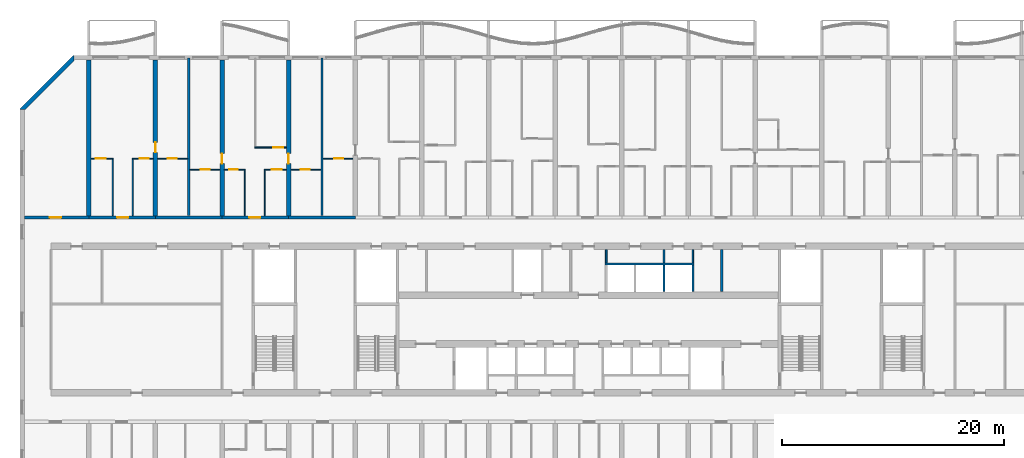
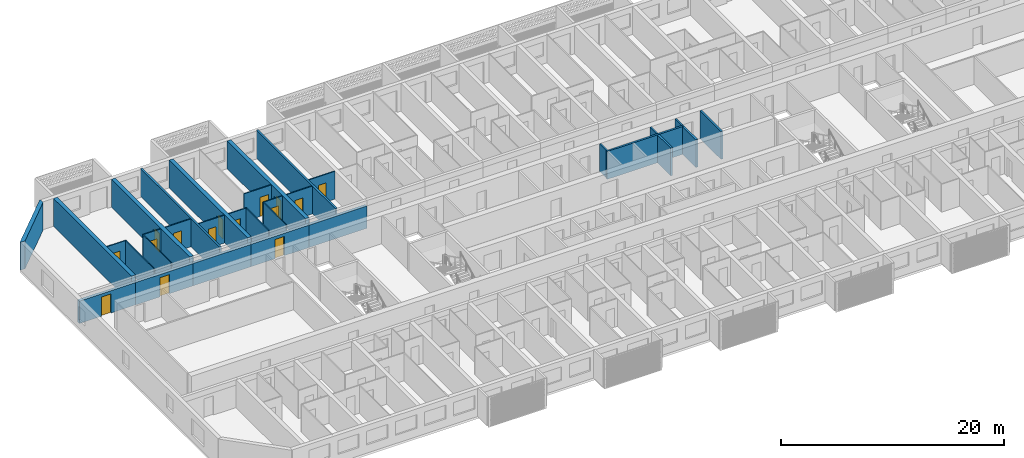
# One storey, part 12 of 44: 32 walls, 15 doors, 15 openings.
"""IFC4 building model written with IfcOpenShell, lengths in metres."""

from ifc_helpers import new_model, si_unit, direction, frame, frame_2d, origin, place, context, subcontext, project, spatial, polyline, rectangle, outline, extrude, material, layer, layer_set, type_object, element, fill, save


model = new_model("IFC4")

# Units and contexts
model_context = context("Model", 3, precision=1e-05, world=origin(), true_north=direction((0.0, 1.0)))
body_context = subcontext(model_context, "Body", "Model", "MODEL_VIEW")
ifc_project = project(units=[si_unit("LENGTHUNIT", "METRE"), si_unit("AREAUNIT", "SQUARE_METRE"), si_unit("VOLUMEUNIT", "CUBIC_METRE"), si_unit("PLANEANGLEUNIT", "RADIAN"), si_unit("MASSUNIT", "GRAM", prefix="KILO")], contexts=[model_context])

# Site, building, storey
site_placement = place(None, origin())
site = spatial("IfcSite", under=ifc_project, at=site_placement, CompositionType="ELEMENT")
building_placement = place(site_placement, origin())
building = spatial("IfcBuilding", under=site, at=building_placement, Name="Poui Terraces", CompositionType="ELEMENT")
storey_placement = place(building_placement, frame((0.0, 0.0, 30.0)))
storey = spatial("IfcBuildingStorey", under=building, at=storey_placement, Name="L07", CompositionType="ELEMENT", Elevation=30.0)

# Wall
ifc_material_1 = material(Name="Fire-rated plasterboard wall")
ifc_layer_1 = layer(ifc_material_1, 0.14990234375)
ifc_layer_set_1 = layer_set([ifc_layer_1], Name="Fire-rated plasterboard wall")
wall_type_1 = type_object("IfcWallType", Name="CORRIDOR WALL 150", PredefinedType="PARTITIONING", material=ifc_layer_set_1)
wall_1_placement = place(storey_placement, frame((52.60009765625, 26.300048828125, 0.0), z_axis=(0.0, 0.0, 1.0), x_axis=(0.0, 1.0, 0.0)))
element("IfcWall", 1, at=wall_1_placement, inside=storey, type_object=wall_type_1, Name="CORRIDOR WALL 150", PredefinedType="PARTITIONING", context=body_context, shape_type="SweptSolid", body=[
    extrude(rectangle(XDim=1.18994140625, YDim=0.14990234375, at=frame_2d((0.594970703125, 0.0))), origin(), (0.0, 0.0, 1.0), 3.050048828125),
])

# Wall, opening, door
ifc_material_2 = material(Name="Concrete 80 MPa", Category="concrete")
ifc_layer_2 = layer(ifc_material_2, 0.300048828125)
ifc_layer_set_2 = layer_set([ifc_layer_2], Name="Concrete 80 MPa")
wall_type_2 = type_object("IfcWallType", Name="CORRIDOR WALL 300 80MPa", PredefinedType="SHEAR", material=ifc_layer_set_2)
wall_2_placement = place(storey_placement, frame((0.199951171875, 30.39990234375, 0.0), z_axis=(0.0, 0.0, 1.0), x_axis=(1.0, 0.0, 0.0)))
wall_2 = element("IfcWall", 2, at=wall_2_placement, inside=storey, type_object=wall_type_2, Name="CORRIDOR WALL LINE E BAY 1", PredefinedType="SHEAR", context=body_context, shape_type="SweptSolid", body=[
    extrude(rectangle(XDim=5.800048828125, YDim=0.300048828125, at=frame_2d((2.89990234375, 0.0))), origin(), (0.0, 0.0, 1.0), 2.449951171875),
])
opening_1_placement = place(wall_2_placement, frame((2.300048828125, 0.0, 0.0)))
opening_1 = element("IfcOpeningElement", 3, at=opening_1_placement, cuts=wall_2, Name="Opening D100", PredefinedType="OPENING", context=body_context, shape_type="SweptSolid", body=[
    extrude(rectangle(XDim=1.0, YDim=2.10009765625, at=frame_2d((0.5, 1.050048828125))), frame((0.0, 0.16015625, 0.0), z_axis=(0.0, -1.0, 0.0), x_axis=(1.0, 0.0, 0.0)), (0.0, 0.0, 1.0), 0.320068359375),
])
ifc_material_3 = material(Name="Solid core timber door", Category="wood")
door_type_1 = type_object("IfcDoorType", Name="ACCESSIBLE INTERNAL DOOR 1000 X 2100", OperationType="NOTDEFINED", PredefinedType="DOOR", material=ifc_material_3)
door_1_placement = place(opening_1_placement, origin())
door_1 = element("IfcDoor", 4, at=door_1_placement, inside=storey, type_object=door_type_1, Name="ACCESSIBLE INTERNAL DOOR 031", OperationType="SINGLE_SWING_LEFT", OverallHeight=2.10009765625, OverallWidth=1.0, PredefinedType="DOOR", context=body_context, shape_type="SweptSolid", body=[
    extrude(rectangle(XDim=1.0, YDim=2.10009765625, at=frame_2d((0.5, 1.050048828125))), frame((0.0, 0.02490234375, 0.0), z_axis=(0.0, -1.0, 0.0), x_axis=(1.0, 0.0, 0.0)), (0.0, 0.0, 1.0), 0.050048828125),
])
fill(opening_1, door_1)

wall_3_placement = place(storey_placement, frame((6.0, 30.39990234375, 0.0), z_axis=(0.0, 0.0, 1.0), x_axis=(1.0, 0.0, 0.0)))
wall_3 = element("IfcWall", 5, at=wall_3_placement, inside=storey, type_object=wall_type_2, Name="CORRIDOR WALL LINE E BAY 2", PredefinedType="SHEAR", context=body_context, shape_type="SweptSolid", body=[
    extrude(rectangle(XDim=6.0, YDim=0.300048828125, at=frame_2d((3.0, 0.0))), origin(), (0.0, 0.0, 1.0), 2.449951171875),
])
opening_2_placement = place(wall_3_placement, frame((2.550048828125, 0.0, 0.0)))
opening_2 = element("IfcOpeningElement", 6, at=opening_2_placement, cuts=wall_3, Name="Opening FD30S", PredefinedType="OPENING", context=body_context, shape_type="SweptSolid", body=[
    extrude(rectangle(XDim=1.0, YDim=2.10009765625, at=frame_2d((0.5, 1.050048828125))), frame((0.0, 0.16015625, 0.0), z_axis=(0.0, -1.0, 0.0), x_axis=(1.0, 0.0, 0.0)), (0.0, 0.0, 1.0), 0.320068359375),
])
ifc_material_4 = material(Name="Steel fire door", Category="steel")
door_type_2 = type_object("IfcDoorType", Name="FLAT ENTRANCE DOOR 1000 X 2100", OperationType="NOTDEFINED", PredefinedType="DOOR", material=ifc_material_4)
door_2_placement = place(opening_2_placement, origin())
door_2 = element("IfcDoor", 7, at=door_2_placement, inside=storey, type_object=door_type_2, Name="FLAT ENTRANCE DOOR 034", OperationType="SINGLE_SWING_RIGHT", OverallHeight=2.10009765625, OverallWidth=1.0, PredefinedType="DOOR", context=body_context, shape_type="SweptSolid", body=[
    extrude(rectangle(XDim=1.0, YDim=2.10009765625, at=frame_2d((0.5, 1.050048828125))), frame((0.0, 0.02490234375, 0.0), z_axis=(0.0, -1.0, 0.0), x_axis=(1.0, 0.0, 0.0)), (0.0, 0.0, 1.0), 0.050048828125),
])
fill(opening_2, door_2)

# Wall
wall_4_placement = place(storey_placement, frame((12.0, 30.39990234375, 0.0), z_axis=(0.0, 0.0, 1.0), x_axis=(1.0, 0.0, 0.0)))
element("IfcWall", 8, at=wall_4_placement, inside=storey, type_object=wall_type_2, Name="CORRIDOR WALL LINE E BAY 3", PredefinedType="SHEAR", context=body_context, shape_type="SweptSolid", body=[
    extrude(rectangle(XDim=6.0, YDim=0.300048828125, at=frame_2d((3.0, 0.0))), origin(), (0.0, 0.0, 1.0), 2.449951171875),
])

# Wall, opening, door
wall_5_placement = place(storey_placement, frame((18.0, 30.39990234375, 0.0), z_axis=(0.0, 0.0, 1.0), x_axis=(1.0, 0.0, 0.0)))
wall_5 = element("IfcWall", 9, at=wall_5_placement, inside=storey, type_object=wall_type_2, Name="CORRIDOR WALL LINE E BAY 4", PredefinedType="SHEAR", context=body_context, shape_type="SweptSolid", body=[
    extrude(rectangle(XDim=6.0, YDim=0.300048828125, at=frame_2d((3.0, 0.0))), origin(), (0.0, 0.0, 1.0), 2.449951171875),
])
opening_3_placement = place(wall_5_placement, frame((2.449951171875, 0.0, 0.0)))
opening_3 = element("IfcOpeningElement", 10, at=opening_3_placement, cuts=wall_5, Name="Opening FD30S", PredefinedType="OPENING", context=body_context, shape_type="SweptSolid", body=[
    extrude(rectangle(XDim=1.0, YDim=2.10009765625, at=frame_2d((0.5, 1.050048828125))), frame((0.0, 0.16015625, 0.0), z_axis=(0.0, -1.0, 0.0), x_axis=(1.0, 0.0, 0.0)), (0.0, 0.0, 1.0), 0.320068359375),
])
door_3_placement = place(opening_3_placement, origin())
door_3 = element("IfcDoor", 11, at=door_3_placement, inside=storey, type_object=door_type_2, Name="FLAT ENTRANCE DOOR 041", OperationType="SINGLE_SWING_LEFT", OverallHeight=2.10009765625, OverallWidth=1.0, PredefinedType="DOOR", context=body_context, shape_type="SweptSolid", body=[
    extrude(rectangle(XDim=1.0, YDim=2.10009765625, at=frame_2d((0.5, 1.050048828125))), frame((0.0, 0.02490234375, 0.0), z_axis=(0.0, -1.0, 0.0), x_axis=(1.0, 0.0, 0.0)), (0.0, 0.0, 1.0), 0.050048828125),
])
fill(opening_3, door_3)

# Walls
wall_6_placement = place(storey_placement, frame((24.0, 30.39990234375, 0.0), z_axis=(0.0, 0.0, 1.0), x_axis=(1.0, 0.0, 0.0)))
element("IfcWall", 12, at=wall_6_placement, inside=storey, type_object=wall_type_2, Name="CORRIDOR WALL LINE E BAY 5", PredefinedType="SHEAR", context=body_context, shape_type="SweptSolid", body=[
    extrude(rectangle(XDim=6.0, YDim=0.300048828125, at=frame_2d((3.0, 0.0))), origin(), (0.0, 0.0, 1.0), 2.449951171875),
])
ifc_layer_3 = layer(ifc_material_2, 0.39990234375)
ifc_layer_set_3 = layer_set([ifc_layer_3], Name="Concrete 80 MPa")
wall_type_3 = type_object("IfcWallType", Name="CROSS WALL 400 80MPa", PredefinedType="SHEAR", material=ifc_layer_set_3)
wall_7_placement = place(storey_placement, frame((6.0, 30.550048828125, 0.0), z_axis=(0.0, 0.0, 1.0), x_axis=(0.0, 1.0, 0.0)))
element("IfcWall", 13, at=wall_7_placement, inside=storey, type_object=wall_type_3, Name="CROSS WALL LINE 2 NORTH", PredefinedType="SHEAR", context=body_context, shape_type="SweptSolid", body=[
    extrude(rectangle(XDim=14.050048828125, YDim=0.39990234375, at=frame_2d((7.02490234375, 0.0))), origin(), (0.0, 0.0, 1.0), 3.050048828125),
])

# Wall, opening, door
wall_8_placement = place(storey_placement, frame((12.0, 30.550048828125, 0.0), z_axis=(0.0, 0.0, 1.0), x_axis=(0.0, 1.0, 0.0)))
wall_8 = element("IfcWall", 14, at=wall_8_placement, inside=storey, type_object=wall_type_3, Name="CROSS WALL LINE 3 NORTH", PredefinedType="SHEAR", context=body_context, shape_type="SweptSolid", body=[
    extrude(rectangle(XDim=14.050048828125, YDim=0.39990234375, at=frame_2d((7.02490234375, 0.0))), origin(), (0.0, 0.0, 1.0), 3.050048828125),
])
opening_4_placement = place(wall_8_placement, frame((5.699951171875, 0.0, 0.0)))
opening_4 = element("IfcOpeningElement", 15, at=opening_4_placement, cuts=wall_8, Name="Opening D90", PredefinedType="OPENING", context=body_context, shape_type="SweptSolid", body=[
    extrude(rectangle(XDim=0.89990234375, YDim=2.10009765625, at=frame_2d((0.449951171875, 1.050048828125))), frame((0.0, 0.2099609375, 0.0), z_axis=(0.0, -1.0, 0.0), x_axis=(1.0, 0.0, 0.0)), (0.0, 0.0, 1.0), 0.419921875),
])
door_type_3 = type_object("IfcDoorType", Name="INTERNAL DOOR 900 X 2100", OperationType="NOTDEFINED", PredefinedType="DOOR", material=ifc_material_3)
door_4_placement = place(opening_4_placement, frame((0.89990234375, 0.0, 0.0), z_axis=(0.0, 0.0, 1.0), x_axis=(-1.0, 0.0, 0.0)))
door_4 = element("IfcDoor", 16, at=door_4_placement, inside=storey, type_object=door_type_3, Name="INTERNAL DOOR 036", OperationType="SINGLE_SWING_RIGHT", OverallHeight=2.10009765625, OverallWidth=0.89990234375, PredefinedType="DOOR", context=body_context, shape_type="SweptSolid", body=[
    extrude(rectangle(XDim=0.89990234375, YDim=2.10009765625, at=frame_2d((0.449951171875, 1.050048828125))), frame((0.0, 0.02490234375, 0.0), z_axis=(0.0, -1.0, 0.0), x_axis=(1.0, 0.0, 0.0)), (0.0, 0.0, 1.0), 0.050048828125),
])
fill(opening_4, door_4)

wall_9_placement = place(storey_placement, frame((18.0, 30.550048828125, 0.0), z_axis=(0.0, 0.0, 1.0), x_axis=(0.0, 1.0, 0.0)))
wall_9 = element("IfcWall", 17, at=wall_9_placement, inside=storey, type_object=wall_type_3, Name="CROSS WALL LINE 4 NORTH", PredefinedType="SHEAR", context=body_context, shape_type="SweptSolid", body=[
    extrude(rectangle(XDim=14.050048828125, YDim=0.39990234375, at=frame_2d((7.02490234375, 0.0))), origin(), (0.0, 0.0, 1.0), 3.050048828125),
])
opening_5_placement = place(wall_9_placement, frame((4.699951171875, 0.0, 0.0)))
opening_5 = element("IfcOpeningElement", 18, at=opening_5_placement, cuts=wall_9, Name="Opening D90", PredefinedType="OPENING", context=body_context, shape_type="SweptSolid", body=[
    extrude(rectangle(XDim=0.89990234375, YDim=2.10009765625, at=frame_2d((0.449951171875, 1.050048828125))), frame((0.0, 0.2099609375, 0.0), z_axis=(0.0, -1.0, 0.0), x_axis=(1.0, 0.0, 0.0)), (0.0, 0.0, 1.0), 0.419921875),
])
door_5_placement = place(opening_5_placement, origin())
door_5 = element("IfcDoor", 19, at=door_5_placement, inside=storey, type_object=door_type_3, Name="INTERNAL DOOR 039", OperationType="SINGLE_SWING_LEFT", OverallHeight=2.10009765625, OverallWidth=0.89990234375, PredefinedType="DOOR", context=body_context, shape_type="SweptSolid", body=[
    extrude(rectangle(XDim=0.89990234375, YDim=2.10009765625, at=frame_2d((0.449951171875, 1.050048828125))), frame((0.0, 0.02490234375, 0.0), z_axis=(0.0, -1.0, 0.0), x_axis=(1.0, 0.0, 0.0)), (0.0, 0.0, 1.0), 0.050048828125),
])
fill(opening_5, door_5)

wall_10_placement = place(storey_placement, frame((24.0, 30.550048828125, 0.0), z_axis=(0.0, 0.0, 1.0), x_axis=(0.0, 1.0, 0.0)))
wall_10 = element("IfcWall", 20, at=wall_10_placement, inside=storey, type_object=wall_type_3, Name="CROSS WALL LINE 5 NORTH", PredefinedType="SHEAR", context=body_context, shape_type="SweptSolid", body=[
    extrude(rectangle(XDim=14.050048828125, YDim=0.39990234375, at=frame_2d((7.02490234375, 0.0))), origin(), (0.0, 0.0, 1.0), 3.050048828125),
])
opening_6_placement = place(wall_10_placement, frame((4.699951171875, 0.0, 0.0)))
opening_6 = element("IfcOpeningElement", 21, at=opening_6_placement, cuts=wall_10, Name="Opening D90", PredefinedType="OPENING", context=body_context, shape_type="SweptSolid", body=[
    extrude(rectangle(XDim=0.89990234375, YDim=2.10009765625, at=frame_2d((0.449951171875, 1.050048828125))), frame((0.0, 0.2099609375, 0.0), z_axis=(0.0, -1.0, 0.0), x_axis=(1.0, 0.0, 0.0)), (0.0, 0.0, 1.0), 0.419921875),
])
door_6_placement = place(opening_6_placement, frame((0.89990234375, 0.0, 0.0), z_axis=(0.0, 0.0, 1.0), x_axis=(-1.0, 0.0, 0.0)))
door_6 = element("IfcDoor", 22, at=door_6_placement, inside=storey, type_object=door_type_3, Name="INTERNAL DOOR 044", OperationType="SINGLE_SWING_RIGHT", OverallHeight=2.10009765625, OverallWidth=0.89990234375, PredefinedType="DOOR", context=body_context, shape_type="SweptSolid", body=[
    extrude(rectangle(XDim=0.89990234375, YDim=2.10009765625, at=frame_2d((0.449951171875, 1.050048828125))), frame((0.0, 0.02490234375, 0.0), z_axis=(0.0, -1.0, 0.0), x_axis=(1.0, 0.0, 0.0)), (0.0, 0.0, 1.0), 0.050048828125),
])
fill(opening_6, door_6)

ifc_material_5 = material(Name="Plasterboard partition")
ifc_layer_4 = layer(ifc_material_5, 0.10009765625)
ifc_layer_set_4 = layer_set([ifc_layer_4], Name="Plasterboard partition")
wall_type_4 = type_object("IfcWallType", Name="FLAT PARTITION 100", PredefinedType="PARTITIONING", material=ifc_layer_set_4)
wall_11_placement = place(storey_placement, frame((15.10009765625, 34.699951171875, 0.0), z_axis=(0.0, 0.0, 1.0), x_axis=(1.0, 0.0, 0.0)))
wall_11 = element("IfcWall", 23, at=wall_11_placement, inside=storey, type_object=wall_type_4, Name="FLAT PARTITION 100", PredefinedType="PARTITIONING", context=body_context, shape_type="SweptSolid", body=[
    extrude(rectangle(XDim=2.68994140625, YDim=0.10009765625, at=frame_2d((1.344970703125, 0.0))), origin(), (0.0, 0.0, 1.0), 3.050048828125),
])
opening_7_placement = place(wall_11_placement, frame((1.0, 0.0, 0.0)))
opening_7 = element("IfcOpeningElement", 24, at=opening_7_placement, cuts=wall_11, Name="Opening D80", PredefinedType="OPENING", context=body_context, shape_type="SweptSolid", body=[
    extrude(rectangle(XDim=0.800048828125, YDim=2.10009765625, at=frame_2d((0.39990234375, 1.050048828125))), frame((0.0, 0.06005859375, 0.0), z_axis=(0.0, -1.0, 0.0), x_axis=(1.0, 0.0, 0.0)), (0.0, 0.0, 1.0), 0.1201171875),
])
door_type_4 = type_object("IfcDoorType", Name="BATHROOM, LAUNDRY AND STORE DOOR 800 X 2100", OperationType="NOTDEFINED", PredefinedType="DOOR", material=ifc_material_3)
door_7_placement = place(opening_7_placement, frame((0.800048828125, 0.0, 0.0), z_axis=(0.0, 0.0, 1.0), x_axis=(-1.0, 0.0, 0.0)))
door_7 = element("IfcDoor", 25, at=door_7_placement, inside=storey, type_object=door_type_4, Name="BATHROOM, LAUNDRY AND STORE DOOR 037", OperationType="SINGLE_SWING_RIGHT", OverallHeight=2.10009765625, OverallWidth=0.800048828125, PredefinedType="DOOR", context=body_context, shape_type="SweptSolid", body=[
    extrude(rectangle(XDim=0.800048828125, YDim=2.10009765625, at=frame_2d((0.39990234375, 1.050048828125))), frame((0.0, 0.02490234375, 0.0), z_axis=(0.0, -1.0, 0.0), x_axis=(1.0, 0.0, 0.0)), (0.0, 0.0, 1.0), 0.050048828125),
])
fill(opening_7, door_7)

wall_12_placement = place(storey_placement, frame((18.2099609375, 34.699951171875, 0.0), z_axis=(0.0, 0.0, 1.0), x_axis=(1.0, 0.0, 0.0)))
wall_12 = element("IfcWall", 26, at=wall_12_placement, inside=storey, type_object=wall_type_4, Name="FLAT PARTITION 100", PredefinedType="PARTITIONING", context=body_context, shape_type="SweptSolid", body=[
    extrude(rectangle(XDim=1.89013671875, YDim=0.10009765625, at=frame_2d((0.945068359375, 0.0))), origin(), (0.0, 0.0, 1.0), 3.050048828125),
])
opening_8_placement = place(wall_12_placement, frame((0.4150390625, 0.0, 0.0)))
opening_8 = element("IfcOpeningElement", 27, at=opening_8_placement, cuts=wall_12, Name="Opening D80", PredefinedType="OPENING", context=body_context, shape_type="SweptSolid", body=[
    extrude(rectangle(XDim=0.800048828125, YDim=2.10009765625, at=frame_2d((0.39990234375, 1.050048828125))), frame((0.0, 0.06005859375, 0.0), z_axis=(0.0, -1.0, 0.0), x_axis=(1.0, 0.0, 0.0)), (0.0, 0.0, 1.0), 0.1201171875),
])
door_8_placement = place(opening_8_placement, frame((0.800048828125, 0.0, 0.0), z_axis=(0.0, 0.0, 1.0), x_axis=(-1.0, 0.0, 0.0)))
door_8 = element("IfcDoor", 28, at=door_8_placement, inside=storey, type_object=door_type_4, Name="BATHROOM, LAUNDRY AND STORE DOOR 040", OperationType="SINGLE_SWING_RIGHT", OverallHeight=2.10009765625, OverallWidth=0.800048828125, PredefinedType="DOOR", context=body_context, shape_type="SweptSolid", body=[
    extrude(rectangle(XDim=0.800048828125, YDim=2.10009765625, at=frame_2d((0.39990234375, 1.050048828125))), frame((0.0, 0.02490234375, 0.0), z_axis=(0.0, -1.0, 0.0), x_axis=(1.0, 0.0, 0.0)), (0.0, 0.0, 1.0), 0.050048828125),
])
fill(opening_8, door_8)

wall_13_placement = place(storey_placement, frame((21.800048828125, 34.699951171875, 0.0), z_axis=(0.0, 0.0, 1.0), x_axis=(1.0, 0.0, 0.0)))
wall_13 = element("IfcWall", 29, at=wall_13_placement, inside=storey, type_object=wall_type_4, Name="FLAT PARTITION 100", PredefinedType="PARTITIONING", context=body_context, shape_type="SweptSolid", body=[
    extrude(rectangle(XDim=1.989990234375, YDim=0.10009765625, at=frame_2d((0.9951171875, 0.0))), origin(), (0.0, 0.0, 1.0), 3.050048828125),
])
opening_9_placement = place(wall_13_placement, frame((0.675048828125, 0.0, 0.0)))
opening_9 = element("IfcOpeningElement", 30, at=opening_9_placement, cuts=wall_13, Name="Opening D90", PredefinedType="OPENING", context=body_context, shape_type="SweptSolid", body=[
    extrude(rectangle(XDim=0.89990234375, YDim=2.10009765625, at=frame_2d((0.449951171875, 1.050048828125))), frame((0.0, 0.06005859375, 0.0), z_axis=(0.0, -1.0, 0.0), x_axis=(1.0, 0.0, 0.0)), (0.0, 0.0, 1.0), 0.1201171875),
])
door_9_placement = place(opening_9_placement, frame((0.89990234375, 0.0, 0.0), z_axis=(0.0, 0.0, 1.0), x_axis=(-1.0, 0.0, 0.0)))
door_9 = element("IfcDoor", 31, at=door_9_placement, inside=storey, type_object=door_type_3, Name="INTERNAL DOOR 042", OperationType="SINGLE_SWING_LEFT", OverallHeight=2.10009765625, OverallWidth=0.89990234375, PredefinedType="DOOR", context=body_context, shape_type="SweptSolid", body=[
    extrude(rectangle(XDim=0.89990234375, YDim=2.10009765625, at=frame_2d((0.449951171875, 1.050048828125))), frame((0.0, 0.02490234375, 0.0), z_axis=(0.0, -1.0, 0.0), x_axis=(1.0, 0.0, 0.0)), (0.0, 0.0, 1.0), 0.050048828125),
])
fill(opening_9, door_9)

wall_14_placement = place(storey_placement, frame((24.2099609375, 34.699951171875, 0.0), z_axis=(0.0, 0.0, 1.0), x_axis=(1.0, 0.0, 0.0)))
wall_14 = element("IfcWall", 32, at=wall_14_placement, inside=storey, type_object=wall_type_4, Name="FLAT PARTITION 100", PredefinedType="PARTITIONING", context=body_context, shape_type="SweptSolid", body=[
    extrude(rectangle(XDim=2.68994140625, YDim=0.10009765625, at=frame_2d((1.344970703125, 0.0))), origin(), (0.0, 0.0, 1.0), 3.050048828125),
])
opening_10_placement = place(wall_14_placement, frame((0.889892578125, 0.0, 0.0)))
opening_10 = element("IfcOpeningElement", 33, at=opening_10_placement, cuts=wall_14, Name="Opening D80", PredefinedType="OPENING", context=body_context, shape_type="SweptSolid", body=[
    extrude(rectangle(XDim=0.800048828125, YDim=2.10009765625, at=frame_2d((0.39990234375, 1.050048828125))), frame((0.0, 0.06005859375, 0.0), z_axis=(0.0, -1.0, 0.0), x_axis=(1.0, 0.0, 0.0)), (0.0, 0.0, 1.0), 0.1201171875),
])
door_10_placement = place(opening_10_placement, frame((0.800048828125, 0.0, 0.0), z_axis=(0.0, 0.0, 1.0), x_axis=(-1.0, 0.0, 0.0)))
door_10 = element("IfcDoor", 34, at=door_10_placement, inside=storey, type_object=door_type_4, Name="BATHROOM, LAUNDRY AND STORE DOOR 038", OperationType="SINGLE_SWING_RIGHT", OverallHeight=2.10009765625, OverallWidth=0.800048828125, PredefinedType="DOOR", context=body_context, shape_type="SweptSolid", body=[
    extrude(rectangle(XDim=0.800048828125, YDim=2.10009765625, at=frame_2d((0.39990234375, 1.050048828125))), frame((0.0, 0.02490234375, 0.0), z_axis=(0.0, -1.0, 0.0), x_axis=(1.0, 0.0, 0.0)), (0.0, 0.0, 1.0), 0.050048828125),
])
fill(opening_10, door_10)

wall_15_placement = place(storey_placement, frame((6.2099609375, 35.699951171875, 0.0), z_axis=(0.0, 0.0, 1.0), x_axis=(1.0, 0.0, 0.0)))
wall_15 = element("IfcWall", 35, at=wall_15_placement, inside=storey, type_object=wall_type_4, Name="FLAT PARTITION 100", PredefinedType="PARTITIONING", context=body_context, shape_type="SweptSolid", body=[
    extrude(rectangle(XDim=1.989990234375, YDim=0.10009765625, at=frame_2d((0.9951171875, 0.0))), origin(), (0.0, 0.0, 1.0), 3.050048828125),
])
opening_11_placement = place(wall_15_placement, frame((0.4150390625, 0.0, 0.0)))
opening_11 = element("IfcOpeningElement", 36, at=opening_11_placement, cuts=wall_15, Name="Opening D90", PredefinedType="OPENING", context=body_context, shape_type="SweptSolid", body=[
    extrude(rectangle(XDim=0.89990234375, YDim=2.10009765625, at=frame_2d((0.449951171875, 1.050048828125))), frame((0.0, 0.06005859375, 0.0), z_axis=(0.0, -1.0, 0.0), x_axis=(1.0, 0.0, 0.0)), (0.0, 0.0, 1.0), 0.1201171875),
])
door_11_placement = place(opening_11_placement, frame((0.89990234375, 0.0, 0.0), z_axis=(0.0, 0.0, 1.0), x_axis=(-1.0, 0.0, 0.0)))
door_11 = element("IfcDoor", 37, at=door_11_placement, inside=storey, type_object=door_type_3, Name="INTERNAL DOOR 033", OperationType="SINGLE_SWING_RIGHT", OverallHeight=2.10009765625, OverallWidth=0.89990234375, PredefinedType="DOOR", context=body_context, shape_type="SweptSolid", body=[
    extrude(rectangle(XDim=0.89990234375, YDim=2.10009765625, at=frame_2d((0.449951171875, 1.050048828125))), frame((0.0, 0.02490234375, 0.0), z_axis=(0.0, -1.0, 0.0), x_axis=(1.0, 0.0, 0.0)), (0.0, 0.0, 1.0), 0.050048828125),
])
fill(opening_11, door_11)

wall_16_placement = place(storey_placement, frame((9.89990234375, 35.699951171875, 0.0), z_axis=(0.0, 0.0, 1.0), x_axis=(1.0, 0.0, 0.0)))
wall_16 = element("IfcWall", 38, at=wall_16_placement, inside=storey, type_object=wall_type_4, Name="FLAT PARTITION 100", PredefinedType="PARTITIONING", context=body_context, shape_type="SweptSolid", body=[
    extrude(rectangle(XDim=1.89013671875, YDim=0.10009765625, at=frame_2d((0.945068359375, 0.0))), origin(), (0.0, 0.0, 1.0), 3.050048828125),
])
opening_12_placement = place(wall_16_placement, frame((0.675048828125, 0.0, 0.0)))
opening_12 = element("IfcOpeningElement", 39, at=opening_12_placement, cuts=wall_16, Name="Opening D80", PredefinedType="OPENING", context=body_context, shape_type="SweptSolid", body=[
    extrude(rectangle(XDim=0.800048828125, YDim=2.10009765625, at=frame_2d((0.39990234375, 1.050048828125))), frame((0.0, 0.06005859375, 0.0), z_axis=(0.0, -1.0, 0.0), x_axis=(1.0, 0.0, 0.0)), (0.0, 0.0, 1.0), 0.1201171875),
])
door_12_placement = place(opening_12_placement, frame((0.800048828125, 0.0, 0.0), z_axis=(0.0, 0.0, 1.0), x_axis=(-1.0, 0.0, 0.0)))
door_12 = element("IfcDoor", 40, at=door_12_placement, inside=storey, type_object=door_type_4, Name="BATHROOM, LAUNDRY AND STORE DOOR 035", OperationType="SINGLE_SWING_LEFT", OverallHeight=2.10009765625, OverallWidth=0.800048828125, PredefinedType="DOOR", context=body_context, shape_type="SweptSolid", body=[
    extrude(rectangle(XDim=0.800048828125, YDim=2.10009765625, at=frame_2d((0.39990234375, 1.050048828125))), frame((0.0, 0.02490234375, 0.0), z_axis=(0.0, -1.0, 0.0), x_axis=(1.0, 0.0, 0.0)), (0.0, 0.0, 1.0), 0.050048828125),
])
fill(opening_12, door_12)

wall_17_placement = place(storey_placement, frame((12.2099609375, 35.699951171875, 0.0), z_axis=(0.0, 0.0, 1.0), x_axis=(1.0, 0.0, 0.0)))
wall_17 = element("IfcWall", 41, at=wall_17_placement, inside=storey, type_object=wall_type_4, Name="FLAT PARTITION 100", PredefinedType="PARTITIONING", context=body_context, shape_type="SweptSolid", body=[
    extrude(rectangle(XDim=2.68994140625, YDim=0.10009765625, at=frame_2d((1.344970703125, 0.0))), origin(), (0.0, 0.0, 1.0), 3.050048828125),
])
opening_13_placement = place(wall_17_placement, frame((0.889892578125, 0.0, 0.0)))
opening_13 = element("IfcOpeningElement", 42, at=opening_13_placement, cuts=wall_17, Name="Opening D80", PredefinedType="OPENING", context=body_context, shape_type="SweptSolid", body=[
    extrude(rectangle(XDim=0.800048828125, YDim=2.10009765625, at=frame_2d((0.39990234375, 1.050048828125))), frame((0.0, 0.06005859375, 0.0), z_axis=(0.0, -1.0, 0.0), x_axis=(1.0, 0.0, 0.0)), (0.0, 0.0, 1.0), 0.1201171875),
])
door_13_placement = place(opening_13_placement, frame((0.800048828125, 0.0, 0.0), z_axis=(0.0, 0.0, 1.0), x_axis=(-1.0, 0.0, 0.0)))
door_13 = element("IfcDoor", 43, at=door_13_placement, inside=storey, type_object=door_type_4, Name="BATHROOM, LAUNDRY AND STORE DOOR 032", OperationType="SINGLE_SWING_LEFT", OverallHeight=2.10009765625, OverallWidth=0.800048828125, PredefinedType="DOOR", context=body_context, shape_type="SweptSolid", body=[
    extrude(rectangle(XDim=0.800048828125, YDim=2.10009765625, at=frame_2d((0.39990234375, 1.050048828125))), frame((0.0, 0.02490234375, 0.0), z_axis=(0.0, -1.0, 0.0), x_axis=(1.0, 0.0, 0.0)), (0.0, 0.0, 1.0), 0.050048828125),
])
fill(opening_13, door_13)

wall_18_placement = place(storey_placement, frame((27.10009765625, 35.699951171875, 0.0), z_axis=(0.0, 0.0, 1.0), x_axis=(1.0, 0.0, 0.0)))
wall_18 = element("IfcWall", 44, at=wall_18_placement, inside=storey, type_object=wall_type_4, Name="FLAT PARTITION 100", PredefinedType="PARTITIONING", context=body_context, shape_type="SweptSolid", body=[
    extrude(rectangle(XDim=2.68994140625, YDim=0.10009765625, at=frame_2d((1.344970703125, 0.0))), origin(), (0.0, 0.0, 1.0), 3.050048828125),
])
opening_14_placement = place(wall_18_placement, frame((1.0, 0.0, 0.0)))
opening_14 = element("IfcOpeningElement", 45, at=opening_14_placement, cuts=wall_18, Name="Opening D80", PredefinedType="OPENING", context=body_context, shape_type="SweptSolid", body=[
    extrude(rectangle(XDim=0.800048828125, YDim=2.10009765625, at=frame_2d((0.39990234375, 1.050048828125))), frame((0.0, 0.06005859375, 0.0), z_axis=(0.0, -1.0, 0.0), x_axis=(1.0, 0.0, 0.0)), (0.0, 0.0, 1.0), 0.1201171875),
])
door_14_placement = place(opening_14_placement, frame((0.800048828125, 0.0, 0.0), z_axis=(0.0, 0.0, 1.0), x_axis=(-1.0, 0.0, 0.0)))
door_14 = element("IfcDoor", 46, at=door_14_placement, inside=storey, type_object=door_type_4, Name="BATHROOM, LAUNDRY AND STORE DOOR 045", OperationType="SINGLE_SWING_LEFT", OverallHeight=2.10009765625, OverallWidth=0.800048828125, PredefinedType="DOOR", context=body_context, shape_type="SweptSolid", body=[
    extrude(rectangle(XDim=0.800048828125, YDim=2.10009765625, at=frame_2d((0.39990234375, 1.050048828125))), frame((0.0, 0.02490234375, 0.0), z_axis=(0.0, -1.0, 0.0), x_axis=(1.0, 0.0, 0.0)), (0.0, 0.0, 1.0), 0.050048828125),
])
fill(opening_14, door_14)

wall_19_placement = place(storey_placement, frame((20.949951171875, 36.699951171875, 0.0), z_axis=(0.0, 0.0, 1.0), x_axis=(1.0, 0.0, 0.0)))
wall_19 = element("IfcWall", 47, at=wall_19_placement, inside=storey, type_object=wall_type_4, Name="FLAT PARTITION 100", PredefinedType="PARTITIONING", context=body_context, shape_type="SweptSolid", body=[
    extrude(rectangle(XDim=2.840087890625, YDim=0.10009765625, at=frame_2d((1.419921875, 0.0))), origin(), (0.0, 0.0, 1.0), 3.050048828125),
])
opening_15_placement = place(wall_19_placement, frame((1.64990234375, 0.0, 0.0)))
opening_15 = element("IfcOpeningElement", 48, at=opening_15_placement, cuts=wall_19, Name="Opening D90", PredefinedType="OPENING", context=body_context, shape_type="SweptSolid", body=[
    extrude(rectangle(XDim=0.89990234375, YDim=2.10009765625, at=frame_2d((0.449951171875, 1.050048828125))), frame((0.0, 0.06005859375, 0.0), z_axis=(0.0, -1.0, 0.0), x_axis=(1.0, 0.0, 0.0)), (0.0, 0.0, 1.0), 0.1201171875),
])
door_15_placement = place(opening_15_placement, frame((0.89990234375, 0.0, 0.0), z_axis=(0.0, 0.0, 1.0), x_axis=(-1.0, 0.0, 0.0)))
door_15 = element("IfcDoor", 49, at=door_15_placement, inside=storey, type_object=door_type_3, Name="INTERNAL DOOR 043", OperationType="SINGLE_SWING_RIGHT", OverallHeight=2.10009765625, OverallWidth=0.89990234375, PredefinedType="DOOR", context=body_context, shape_type="SweptSolid", body=[
    extrude(rectangle(XDim=0.89990234375, YDim=2.10009765625, at=frame_2d((0.449951171875, 1.050048828125))), frame((0.0, 0.02490234375, 0.0), z_axis=(0.0, -1.0, 0.0), x_axis=(1.0, 0.0, 0.0)), (0.0, 0.0, 1.0), 0.050048828125),
])
fill(opening_15, door_15)

# Walls
for number, where, z_axis, x_axis, name in (
    (50, (8.14990234375, 30.56005859375, 0.0), (0.0, 0.0, 1.0), (0.0, 1.0, 0.0), "FLAT PARTITION 100"),
    (51, (9.949951171875, 30.56005859375, 0.0), (0.0, 0.0, 1.0), (0.0, 1.0, 0.0), "FLAT PARTITION 100"),
):
    element("IfcWall", number, at=place(storey_placement, frame(where, z_axis=z_axis, x_axis=x_axis)), inside=storey, type_object=wall_type_4, Name=name, PredefinedType="PARTITIONING", context=body_context, shape_type="SweptSolid", body=[
        extrude(rectangle(XDim=5.08984375, YDim=0.10009765625, at=frame_2d((2.544921875, 0.0))), origin(), (0.0, 0.0, 1.0), 3.050048828125),
    ])
for number, where, z_axis, x_axis, name in (
    (52, (20.050048828125, 30.56005859375, 0.0), (0.0, 0.0, 1.0), (0.0, 1.0, 0.0), "FLAT PARTITION 100"),
    (53, (21.85009765625, 30.56005859375, 0.0), (0.0, 0.0, 1.0), (0.0, 1.0, 0.0), "FLAT PARTITION 100"),
):
    element("IfcWall", number, at=place(storey_placement, frame(where, z_axis=z_axis, x_axis=x_axis)), inside=storey, type_object=wall_type_4, Name=name, PredefinedType="PARTITIONING", context=body_context, shape_type="SweptSolid", body=[
        extrude(rectangle(XDim=4.08984375, YDim=0.10009765625, at=frame_2d((2.044921875, 0.0))), origin(), (0.0, 0.0, 1.0), 3.050048828125),
    ])
ifc_material_6 = material(Name="Fire-rated masonry wall", Category="masonry")
ifc_layer_5 = layer(ifc_material_6, 0.199951171875)
ifc_layer_set_5 = layer_set([ifc_layer_5], Name="Fire-rated masonry wall")
wall_type_5 = type_object("IfcWallType", Name="FLAT PARTY WALL 200", PredefinedType="PARTITIONING", material=ifc_layer_set_5)
for number, where, z_axis, x_axis, name in (
    (54, (15.0, 30.56005859375, 0.0), (0.0, 0.0, 1.0), (0.0, 1.0, 0.0), "FLAT PARTY WALL 200"),
    (55, (27.0, 30.56005859375, 0.0), (0.0, 0.0, 1.0), (0.0, 1.0, 0.0), "FLAT PARTY WALL 200"),
):
    element("IfcWall", number, at=place(storey_placement, frame(where, z_axis=z_axis, x_axis=x_axis)), inside=storey, type_object=wall_type_5, Name=name, PredefinedType="PARTITIONING", context=body_context, shape_type="SweptSolid", body=[
        extrude(rectangle(XDim=14.179931640625, YDim=0.199951171875, at=frame_2d((7.08984375, 0.0))), origin(), (0.0, 0.0, 1.0), 3.050048828125),
    ])
ifc_layer_6 = layer(ifc_material_5, 0.14990234375)
ifc_layer_set_6 = layer_set([ifc_layer_6], Name="Plasterboard partition")
wall_type_6 = type_object("IfcWallType", Name="PARTITION WALL 150", PredefinedType="PARTITIONING", material=ifc_layer_set_6)
for number, where, z_axis, x_axis, name in (
    (56, (57.800048828125, 26.300048828125, 0.0), (0.0, 0.0, 1.0), (0.0, 1.0, 0.0), "PARTITION WALL 150"),
    (57, (60.39990234375, 26.300048828125, 0.0), (0.0, 0.0, 1.0), (0.0, 1.0, 0.0), "PARTITION WALL 150"),
):
    element("IfcWall", number, at=place(storey_placement, frame(where, z_axis=z_axis, x_axis=x_axis)), inside=storey, type_object=wall_type_6, Name=name, PredefinedType="PARTITIONING", context=body_context, shape_type="SweptSolid", body=[
        extrude(rectangle(XDim=1.18994140625, YDim=0.14990234375, at=frame_2d((0.594970703125, 0.0))), origin(), (0.0, 0.0, 1.0), 3.050048828125),
    ])
ifc_layer_7 = layer(ifc_material_6, 0.199951171875)
ifc_layer_set_7 = layer_set([ifc_layer_7], Name="Fire-rated masonry wall")
wall_type_7 = type_object("IfcWallType", Name="PLANT ROOM WALL 200", PredefinedType="PARTITIONING", material=ifc_layer_set_7)
wall_20_placement = place(storey_placement, frame((63.0, 23.7099609375, 0.0), z_axis=(0.0, 0.0, 1.0), x_axis=(0.0, 1.0, 0.0)))
element("IfcWall", 58, at=wall_20_placement, inside=storey, type_object=wall_type_7, Name="PLANT ROOM WALL 200", PredefinedType="PARTITIONING", context=body_context, shape_type="SweptSolid", body=[
    extrude(rectangle(XDim=3.780029296875, YDim=0.199951171875, at=frame_2d((1.89013671875, 0.0))), origin(), (0.0, 0.0, 1.0), 3.050048828125),
])
ifc_material_7 = material(Name="Fire-rated masonry shaft wall", Category="masonry")
ifc_layer_8 = layer(ifc_material_7, 0.199951171875)
ifc_layer_set_8 = layer_set([ifc_layer_8], Name="Fire-rated masonry shaft wall")
wall_type_8 = type_object("IfcWallType", Name="SHAFT WALL 200", PredefinedType="PARTITIONING", material=ifc_layer_set_8)
wall_21_placement = place(storey_placement, frame((52.5, 26.199951171875, 0.0), z_axis=(0.0, 0.0, 1.0), x_axis=(1.0, 0.0, 0.0)))
element("IfcWall", 59, at=wall_21_placement, inside=storey, type_object=wall_type_8, Name="SHAFT WALL 200", PredefinedType="PARTITIONING", context=body_context, shape_type="SweptSolid", body=[
    extrude(rectangle(XDim=8.0, YDim=0.199951171875, at=frame_2d((4.0, 0.0))), origin(), (0.0, 0.0, 1.0), 3.050048828125),
])
for number, where, z_axis, x_axis, name in (
    (60, (57.800048828125, 23.7099609375, 0.0), (0.0, 0.0, 1.0), (0.0, 1.0, 0.0), "SHAFT WALL 200"),
    (61, (60.39990234375, 23.7099609375, 0.0), (0.0, 0.0, 1.0), (0.0, 1.0, 0.0), "SHAFT WALL 200"),
):
    element("IfcWall", number, at=place(storey_placement, frame(where, z_axis=z_axis, x_axis=x_axis)), inside=storey, type_object=wall_type_8, Name=name, PredefinedType="PARTITIONING", context=body_context, shape_type="SweptSolid", body=[
        extrude(rectangle(XDim=2.39013671875, YDim=0.199951171875, at=frame_2d((1.195068359375, 0.0))), origin(), (0.0, 0.0, 1.0), 3.050048828125),
    ])
ifc_material_8 = material(Name="Precast concrete 40 MPa", Category="concrete")
ifc_layer_9 = layer(ifc_material_8, 0.39990234375)
ifc_layer_set_9 = layer_set([ifc_layer_9], Name="Precast concrete 40 MPa")
wall_type_9 = type_object("IfcWallType", Name="TERRACOTTA CLAD CHAMFER WALL 400", PredefinedType="STANDARD", material=ifc_layer_set_9)
wall_22_placement = place(storey_placement, origin())
element("IfcWall", 62, at=wall_22_placement, inside=storey, type_object=wall_type_9, Name="CHAMFER WALL CH05", PredefinedType="STANDARD", context=body_context, shape_type="SweptSolid", body=[
    extrude(outline(polyline([(4.682861328125, 45.0), (4.60009765625, 45.0), (-0.199951171875, 40.199951171875), (-0.199951171875, 40.1171875), (0.28271484375, 40.1171875), (4.682861328125, 44.51708984375), (4.682861328125, 45.0)])), origin(), (0.0, 0.0, 1.0), 3.050048828125),
])

save(model, "model.ifc")
